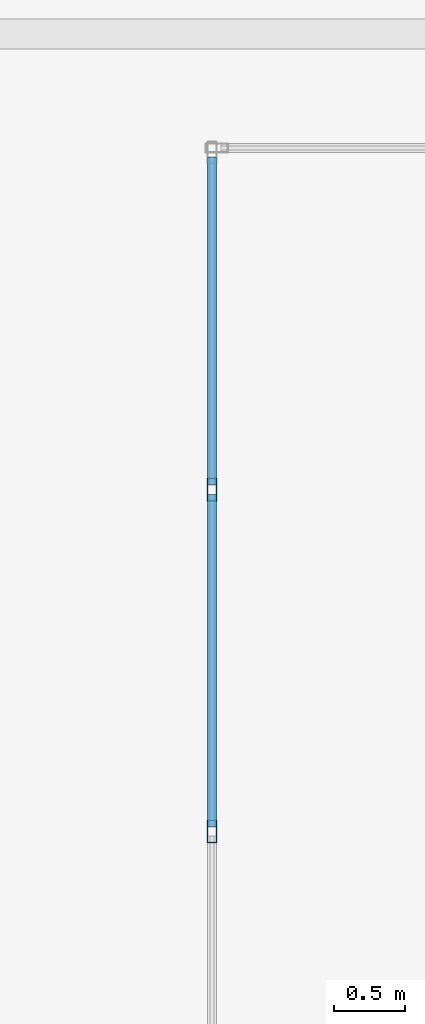
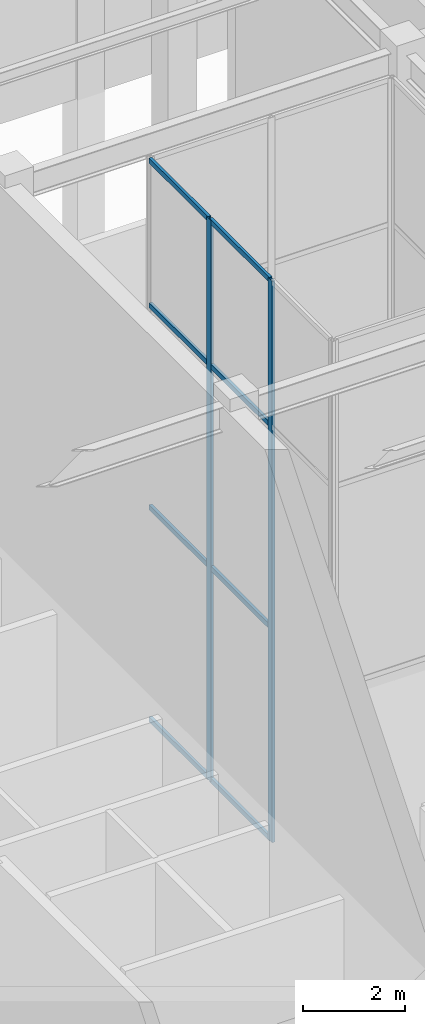
# One storey, part 5 of 15: 10 members, 1 element without a shape of its own.
"""IFC4 building model written with IfcOpenShell, lengths in metres."""

import ifcopenshell
import ifcopenshell.guid

model = None  # the IFC model being written
_history = None  # IfcOwnerHistory: only IFC2X3 demands one
_inside = {}  # id of a spatial element -> (the spatial element, [elements in it])
_under = {}  # id of a project, library or spatial element -> (it, [spatial elements below it])
_declared = {}  # id of a project -> (the project, [libraries it declares])
_typed = {}  # id of a type object -> (the type object, [elements of that type])
_made_of = {}  # id of a material, layer set ... -> (it, [elements and type objects made of it])


def new_model(schema):
    """Start an empty IFC model of exactly this schema.

    Asked for "IFC4X3", IfcOpenShell would pick the latest addendum, in which some entities
    have other attributes; the version numbers below select the first issue.
    IFC2X3 requires an IfcOwnerHistory on every rooted entity: one is made here for all.
    """
    global model, _history
    if schema == "IFC4X3":
        model = ifcopenshell.file(schema_version=(4, 3, 0, 0))
    else:
        model = ifcopenshell.file(schema=schema)
    _inside.clear()
    _under.clear()
    _declared.clear()
    _typed.clear()
    _made_of.clear()
    _history = None
    if model.schema == "IFC2X3":
        org = make("IfcOrganization", Name="unknown")
        user = make(
            "IfcPersonAndOrganization",
            ThePerson=make("IfcPerson", FamilyName="unknown"),
            TheOrganization=org,
        )
        app = make(
            "IfcApplication",
            ApplicationDeveloper=org,
            Version="unknown",
            ApplicationFullName="unknown",
            ApplicationIdentifier="unknown",
        )
        _history = make(
            "IfcOwnerHistory",
            OwningUser=user,
            OwningApplication=app,
            ChangeAction="ADDED",
            CreationDate=0,
        )
    return model


def make(cls, **values):
    """One entity of the class cls with the attributes given. An attribute that is None is left unset."""
    return model.create_entity(
        cls, **{name: value for name, value in values.items() if value is not None}
    )


def rooted(cls, **values):
    """An entity with a GlobalId (a new one), such as an element, a storey or a relation."""
    return make(cls, GlobalId=ifcopenshell.guid.new(), OwnerHistory=_history, **values)


def si_unit(unit_type, name, prefix=None):
    """IfcSIUnit, for example si_unit("LENGTHUNIT", "METRE", prefix="MILLI")."""
    return make("IfcSIUnit", UnitType=unit_type, Prefix=prefix, Name=name)


def assignment(units):
    """IfcUnitAssignment: the units of a project."""
    return None if units is None else make("IfcUnitAssignment", Units=units)


def point(xyz):
    """IfcCartesianPoint."""
    return None if xyz is None else make("IfcCartesianPoint", Coordinates=xyz)


def direction(xyz):
    """IfcDirection."""
    return None if xyz is None else make("IfcDirection", DirectionRatios=xyz)


def frame(location, z_axis=None, x_axis=None):
    """IfcAxis2Placement3D, a coordinate frame: its origin and axes. An axis left out is left unset."""
    return make(
        "IfcAxis2Placement3D",
        Location=point(location),
        Axis=direction(z_axis),
        RefDirection=direction(x_axis),
    )


def frame_2d(location, x_axis=None):
    """IfcAxis2Placement2D, a coordinate frame in the plane: its origin and x axis."""
    return make(
        "IfcAxis2Placement2D", Location=point(location), RefDirection=direction(x_axis)
    )


def origin():
    """The frame at (0, 0, 0) with its axes left unset."""
    return frame((0.0, 0.0, 0.0))


def origin_2d():
    """The frame at (0, 0) in the plane with its x axis left unset."""
    return frame_2d((0.0, 0.0))


def place(relative_to, where):
    """IfcLocalPlacement: puts the frame where relative to a parent placement (None: the world)."""
    return make(
        "IfcLocalPlacement", PlacementRelTo=relative_to, RelativePlacement=where
    )


def context(
    kind, dimensions, precision=None, world=None, true_north=None, identifier=None
):
    """IfcGeometricRepresentationContext, for example the 3D "Model" context."""
    return make(
        "IfcGeometricRepresentationContext",
        ContextIdentifier=identifier,
        ContextType=kind,
        CoordinateSpaceDimension=dimensions,
        Precision=precision,
        WorldCoordinateSystem=world,
        TrueNorth=true_north,
    )


def subcontext(parent, identifier, kind, view, scale=None):
    """IfcGeometricRepresentationSubContext, for example "Body" below "Model"."""
    return make(
        "IfcGeometricRepresentationSubContext",
        ContextIdentifier=identifier,
        ContextType=kind,
        ParentContext=parent,
        TargetScale=scale,
        TargetView=view,
    )


def project(units=None, contexts=None):
    """IfcProject with its units and contexts."""
    return rooted(
        "IfcProject",
        Name="project",
        RepresentationContexts=contexts,
        UnitsInContext=assignment(units),
    )


def spatial(cls, under=None, at=None, **own):
    """A site, building, storey or space (cls), placed at a placement, below another one or the project."""
    s = rooted(cls, ObjectPlacement=at, **own)
    if under is not None:
        _under.setdefault(under.id(), (under, []))[1].append(s)
    return s


def profile(cls, at=None, kind="AREA", **sizes):
    """A parametric profile (cls). Its sizes go by their IFC names, for example OverallWidth=200.0."""
    return make(cls, ProfileType=kind, Position=at, **sizes)


def hollow_rectangle(**sizes):
    """IfcRectangleHollowProfileDef."""
    return profile("IfcRectangleHollowProfileDef", **sizes)


def extrude(swept, where, along, depth):
    """IfcExtrudedAreaSolid: the profile swept, set in the frame where, extruded along a direction by depth."""
    return make(
        "IfcExtrudedAreaSolid",
        SweptArea=swept,
        Position=where,
        ExtrudedDirection=direction(along),
        Depth=depth,
    )


def shape(context_of_items, identifier, shape_type, items):
    """IfcShapeRepresentation: the items that make up one representation, for example the "Body"."""
    return make(
        "IfcShapeRepresentation",
        ContextOfItems=context_of_items,
        RepresentationIdentifier=identifier,
        RepresentationType=shape_type,
        Items=items,
    )


def material(Name=None, Category=None):
    """IfcMaterial."""
    return make("IfcMaterial", Name=Name, Category=Category)


def layer(
    of_material, thickness, ventilated=None, Name=None, Category=None, Priority=None
):
    """IfcMaterialLayer: one layer of a wall or slab, of a material (None: an air gap)."""
    return make(
        "IfcMaterialLayer",
        Material=of_material,
        LayerThickness=thickness,
        IsVentilated=ventilated,
        Name=Name,
        Category=Category,
        Priority=Priority,
    )


def layer_set(layers, Name=None):
    """IfcMaterialLayerSet."""
    return make("IfcMaterialLayerSet", MaterialLayers=layers, LayerSetName=Name)


def material_profile(
    of_material, cross_section, Name=None, Category=None, Priority=None
):
    """IfcMaterialProfile: a cross section and its material."""
    return make(
        "IfcMaterialProfile",
        Name=Name,
        Material=of_material,
        Profile=cross_section,
        Priority=Priority,
        Category=Category,
    )


def profile_set(profiles, Name=None, composite=None):
    """IfcMaterialProfileSet."""
    return make(
        "IfcMaterialProfileSet",
        Name=Name,
        MaterialProfiles=profiles,
        CompositeProfile=composite,
    )


def made_of(thing, what):
    """Note that an element or type object is made of a material, layer set ...; save() writes the relation."""
    if what is not None:
        _made_of.setdefault(what.id(), (what, []))[1].append(thing)
    return thing


def type_object(cls, material=None, **own):
    """A type object (cls), such as IfcWallType, which elements share."""
    return made_of(rooted(cls, **own), material)


def element(
    cls,
    number,
    at=None,
    inside=None,
    cuts=None,
    type_object=None,
    material=None,
    context=None,
    identifier="Body",
    shape_type=None,
    held_by="IfcProductDefinitionShape",
    body=None,
    shapes=None,
    **own,
):
    """One element of the class cls, such as IfcWall. Its Tag is "e" and its number.

    at: its placement. inside: the storey or other place that contains it. cuts: it is an
    opening in that element (IfcRelVoidsElement). A single representation is given by context,
    identifier, shape_type and body (its items); several are given by shapes. held_by: the class
    of the entity that holds the representations. save() writes the other relations.
    """
    e = rooted(cls, Tag="e%d" % number, ObjectPlacement=at, **own)
    if body is not None:
        shapes = [shape(context, identifier, shape_type, body)]
    if shapes is not None:
        e.Representation = make(held_by, Representations=shapes)
    if inside is not None:
        _inside.setdefault(inside.id(), (inside, []))[1].append(e)
    if cuts is not None:
        rooted(
            "IfcRelVoidsElement", RelatingBuildingElement=cuts, RelatedOpeningElement=e
        )
    if type_object is not None:
        _typed.setdefault(type_object.id(), (type_object, []))[1].append(e)
    return made_of(e, material)


def aggregate(whole, parts):
    """IfcRelAggregates: a whole, such as a stair, and the parts it consists of."""
    return rooted("IfcRelAggregates", RelatingObject=whole, RelatedObjects=parts)


def save(model, path):
    """Write the relations noted so far, then the file.

    IfcRelAggregates (storeys below a building ...), IfcRelContainedInSpatialStructure (elements
    in a storey), IfcRelDefinesByType, IfcRelAssociatesMaterial and IfcRelDeclares: one each for
    every whole, place, type object, material and project.
    """
    for whole, parts in _under.values():
        aggregate(whole, parts)
    for where, things in _inside.values():
        rooted(
            "IfcRelContainedInSpatialStructure",
            RelatedElements=things,
            RelatingStructure=where,
        )
    for kind, things in _typed.values():
        rooted("IfcRelDefinesByType", RelatedObjects=things, RelatingType=kind)
    for what, things in _made_of.values():
        rooted("IfcRelAssociatesMaterial", RelatedObjects=things, RelatingMaterial=what)
    for by, libraries in _declared.values():
        rooted("IfcRelDeclares", RelatingContext=by, RelatedDefinitions=libraries)
    model.write(path)


model = new_model("IFC4")

# Units and contexts
model_context = context("Model", 3, precision=1e-05, world=origin(), true_north=direction((0.0, 1.0)))
body_context = subcontext(model_context, "Body", "Model", "MODEL_VIEW")
ifc_project = project(units=[si_unit("LENGTHUNIT", "METRE"), si_unit("AREAUNIT", "SQUARE_METRE"), si_unit("VOLUMEUNIT", "CUBIC_METRE"), si_unit("PLANEANGLEUNIT", "RADIAN"), si_unit("MASSUNIT", "GRAM", prefix="KILO")], contexts=[model_context])

# Site, building, storey
site_placement = place(None, origin())
site = spatial("IfcSite", under=ifc_project, at=site_placement, CompositionType="ELEMENT")
building_placement = place(site_placement, origin())
building = spatial("IfcBuilding", under=site, at=building_placement, Name="Kundavana Baori Tower", CompositionType="ELEMENT")
storey_placement = place(building_placement, frame((0.0, 0.0, 354.699951171875)))
storey = spatial("IfcBuildingStorey", under=building, at=storey_placement, Name="L88", CompositionType="ELEMENT", Elevation=354.699951171875)

# Curtain wall, members
ifc_material_1 = material(Name="Thermally Broken Anodised Aluminium Framing", Category="aluminium")
ifc_layer = layer(ifc_material_1, 0.25, Name="CW-SYS-7")
ifc_layer_set = layer_set([ifc_layer], Name="Thermally Broken Anodised Aluminium Framing")
curtain_wall_type = type_object("IfcCurtainWallType", Name="CW-SYS-7", PredefinedType="NOTDEFINED", material=ifc_layer_set)
curtain_wall_placement = place(storey_placement, origin())
curtain_wall = element("IfcCurtainWall", 1, at=curtain_wall_placement, inside=storey, type_object=curtain_wall_type, Name="L88 Atrium Glazed Curtain Wall W", PredefinedType="NOTDEFINED")
ifc_material_2 = material(Name="Thermally Broken Anodised Aluminium Framing", Category="aluminium")
ifc_material_profile_1 = material_profile(ifc_material_2, hollow_rectangle(XDim=0.06494140625, YDim=0.159912109375, WallThickness=0.00390625, at=origin_2d()), Name="CW-MULL-160")
ifc_profile_set_1 = profile_set([ifc_material_profile_1], Name="Thermally Broken Anodised Aluminium Framing")
member_type_1 = type_object("IfcMemberType", Name="CW-MULL-160", PredefinedType="MULLION", material=ifc_profile_set_1)
member_1_placement = place(storey_placement, frame((27.60009765625, 29.800048828125, 0.0), z_axis=(0.0, 0.0, 1.0), x_axis=(1.0, 0.0, 0.0)))
member_1 = element("IfcMember", 2, at=member_1_placement, type_object=member_type_1, Name="CW7 mullion 2", PredefinedType="MULLION", context=body_context, shape_type="SweptSolid", body=[
    extrude(hollow_rectangle(XDim=0.06494140625, YDim=0.159912109375, WallThickness=0.00390625, at=origin_2d()), origin(), (0.0, 0.0, 1.0), 13.400146484375),
])
member_2_placement = place(storey_placement, frame((27.60009765625, 27.39990234375, 0.0), z_axis=(0.0, 0.0, 1.0), x_axis=(1.0, 0.0, 0.0)))
member_2 = element("IfcMember", 3, at=member_2_placement, type_object=member_type_1, Name="CW7 mullion 3", PredefinedType="MULLION", context=body_context, shape_type="SweptSolid", body=[
    extrude(hollow_rectangle(XDim=0.06494140625, YDim=0.159912109375, WallThickness=0.00390625, at=origin_2d()), origin(), (0.0, 0.0, 1.0), 13.400146484375),
])
ifc_material_3 = material(Name="Thermally Broken Anodised Aluminium Framing", Category="aluminium")
ifc_material_profile_2 = material_profile(ifc_material_3, hollow_rectangle(XDim=0.06494140625, YDim=0.1201171875, WallThickness=0.00390625, at=origin_2d()), Name="CW-TRAN-120")
ifc_profile_set_2 = profile_set([ifc_material_profile_2], Name="Thermally Broken Anodised Aluminium Framing")
member_type_2 = type_object("IfcMemberType", Name="CW-TRAN-120", PredefinedType="USERDEFINED", material=ifc_profile_set_2)
member_3_placement = place(storey_placement, frame((27.60009765625, 32.135009765625, 0.032470703125), z_axis=(0.0, -1.0, 0.0), x_axis=(1.0, 0.0, 0.0)))
member_3 = element("IfcMember", 4, at=member_3_placement, type_object=member_type_2, Name="CW7 transom 1.1", ObjectType="TRANSOM", PredefinedType="USERDEFINED", context=body_context, shape_type="SweptSolid", body=[
    extrude(hollow_rectangle(XDim=0.06494140625, YDim=0.1201171875, WallThickness=0.00390625, at=origin_2d()), origin(), (0.0, 0.0, 1.0), 2.302490234375),
])
member_4_placement = place(storey_placement, frame((27.60009765625, 32.135009765625, 5.092041015625), z_axis=(0.0, -1.0, 0.0), x_axis=(1.0, 0.0, 0.0)))
member_4 = element("IfcMember", 5, at=member_4_placement, type_object=member_type_2, Name="CW7 transom 1.2", ObjectType="TRANSOM", PredefinedType="USERDEFINED", context=body_context, shape_type="SweptSolid", body=[
    extrude(hollow_rectangle(XDim=0.06494140625, YDim=0.1201171875, WallThickness=0.00390625, at=origin_2d()), origin(), (0.0, 0.0, 1.0), 2.302490234375),
])
member_5_placement = place(storey_placement, frame((27.60009765625, 32.135009765625, 9.916015625), z_axis=(0.0, -1.0, 0.0), x_axis=(1.0, 0.0, 0.0)))
member_5 = element("IfcMember", 6, at=member_5_placement, type_object=member_type_2, Name="CW7 transom 1.3", ObjectType="TRANSOM", PredefinedType="USERDEFINED", context=body_context, shape_type="SweptSolid", body=[
    extrude(hollow_rectangle(XDim=0.06494140625, YDim=0.1201171875, WallThickness=0.00390625, at=origin_2d()), origin(), (0.0, 0.0, 1.0), 2.302490234375),
])
member_6_placement = place(storey_placement, frame((27.60009765625, 32.135009765625, 13.367431640625), z_axis=(0.0, -1.0, 0.0), x_axis=(1.0, 0.0, 0.0)))
member_6 = element("IfcMember", 7, at=member_6_placement, type_object=member_type_2, Name="CW7 transom 1.4", ObjectType="TRANSOM", PredefinedType="USERDEFINED", context=body_context, shape_type="SweptSolid", body=[
    extrude(hollow_rectangle(XDim=0.06494140625, YDim=0.1201171875, WallThickness=0.00390625, at=origin_2d()), origin(), (0.0, 0.0, 1.0), 2.302490234375),
])
member_7_placement = place(storey_placement, frame((27.60009765625, 29.767578125, 0.032470703125), z_axis=(0.0, -1.0, 0.0), x_axis=(1.0, 0.0, 0.0)))
member_7 = element("IfcMember", 8, at=member_7_placement, type_object=member_type_2, Name="CW7 transom 2.1", ObjectType="TRANSOM", PredefinedType="USERDEFINED", context=body_context, shape_type="SweptSolid", body=[
    extrude(hollow_rectangle(XDim=0.06494140625, YDim=0.1201171875, WallThickness=0.00390625, at=origin_2d()), origin(), (0.0, 0.0, 1.0), 2.3349609375),
])
member_8_placement = place(storey_placement, frame((27.60009765625, 29.767578125, 5.092041015625), z_axis=(0.0, -1.0, 0.0), x_axis=(1.0, 0.0, 0.0)))
member_8 = element("IfcMember", 9, at=member_8_placement, type_object=member_type_2, Name="CW7 transom 2.2", ObjectType="TRANSOM", PredefinedType="USERDEFINED", context=body_context, shape_type="SweptSolid", body=[
    extrude(hollow_rectangle(XDim=0.06494140625, YDim=0.1201171875, WallThickness=0.00390625, at=origin_2d()), origin(), (0.0, 0.0, 1.0), 2.3349609375),
])
member_9_placement = place(storey_placement, frame((27.60009765625, 29.767578125, 9.916015625), z_axis=(0.0, -1.0, 0.0), x_axis=(1.0, 0.0, 0.0)))
member_9 = element("IfcMember", 10, at=member_9_placement, type_object=member_type_2, Name="CW7 transom 2.3", ObjectType="TRANSOM", PredefinedType="USERDEFINED", context=body_context, shape_type="SweptSolid", body=[
    extrude(hollow_rectangle(XDim=0.06494140625, YDim=0.1201171875, WallThickness=0.00390625, at=origin_2d()), origin(), (0.0, 0.0, 1.0), 2.3349609375),
])
member_10_placement = place(storey_placement, frame((27.60009765625, 29.767578125, 13.367431640625), z_axis=(0.0, -1.0, 0.0), x_axis=(1.0, 0.0, 0.0)))
member_10 = element("IfcMember", 11, at=member_10_placement, type_object=member_type_2, Name="CW7 transom 2.4", ObjectType="TRANSOM", PredefinedType="USERDEFINED", context=body_context, shape_type="SweptSolid", body=[
    extrude(hollow_rectangle(XDim=0.06494140625, YDim=0.1201171875, WallThickness=0.00390625, at=origin_2d()), origin(), (0.0, 0.0, 1.0), 2.3349609375),
])
aggregate(curtain_wall, [member_1, member_2, member_3, member_4, member_5, member_6, member_7, member_8, member_9, member_10])

save(model, "model.ifc")
